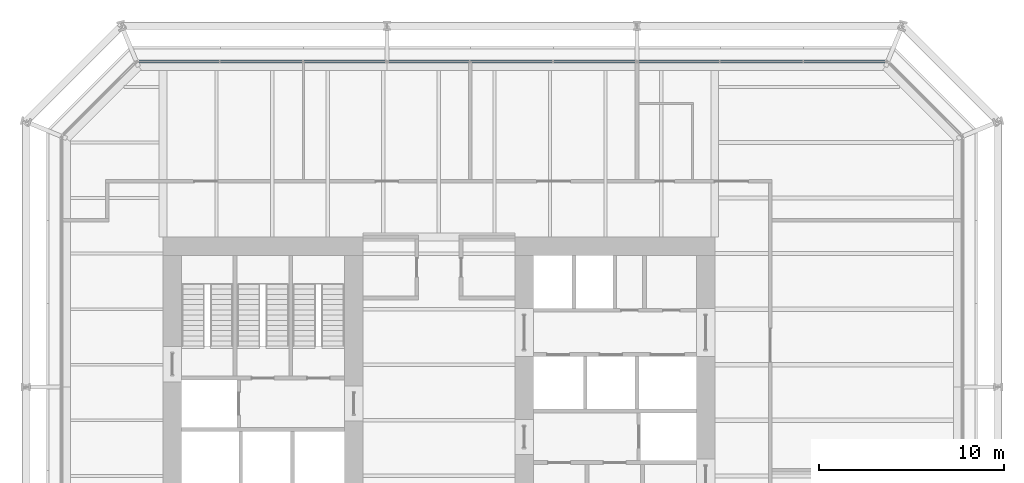
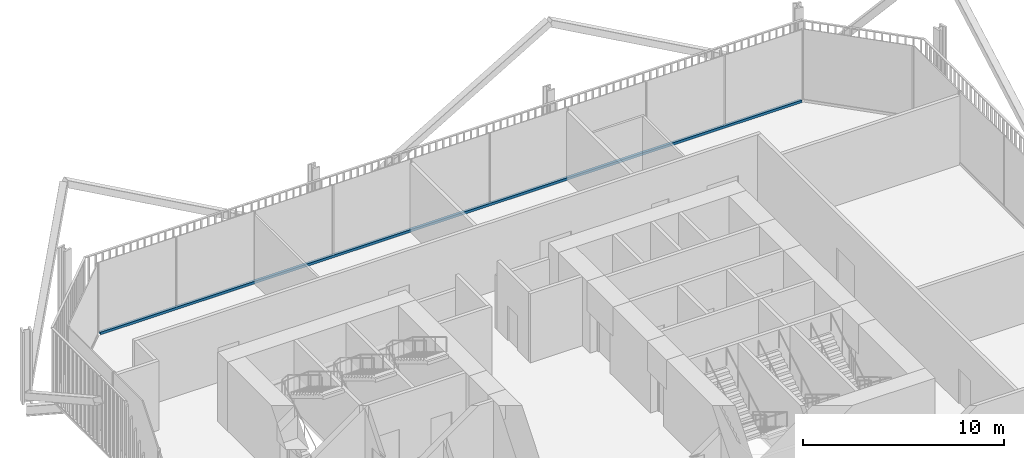
# One storey, part 13 of 21: 1 member, 1 element without a shape of its own.
"""IFC4 building model written with IfcOpenShell, lengths in metres."""

from ifc_helpers import new_model, si_unit, direction, frame, origin, origin_2d, place, context, subcontext, project, spatial, rectangle, extrude, material, layer, layer_set, material_profile, profile_set, type_object, element, aggregate, save


model = new_model("IFC4")

# Units and contexts
model_context = context("Model", 3, precision=1e-05, world=origin(), true_north=direction((0.0, 1.0)))
body_context = subcontext(model_context, "Body", "Model", "MODEL_VIEW")
ifc_project = project(units=[si_unit("LENGTHUNIT", "METRE"), si_unit("AREAUNIT", "SQUARE_METRE"), si_unit("VOLUMEUNIT", "CUBIC_METRE"), si_unit("PLANEANGLEUNIT", "RADIAN"), si_unit("MASSUNIT", "GRAM", prefix="KILO")], contexts=[model_context])

# Site, building, storey
site_placement = place(None, origin())
site = spatial("IfcSite", under=ifc_project, at=site_placement, CompositionType="ELEMENT")
building_placement = place(site_placement, origin())
building = spatial("IfcBuilding", under=site, at=building_placement, Name="Millrace Tower", CompositionType="ELEMENT")
storey_placement = place(building_placement, frame((0.0, 0.0, 82.0)))
storey = spatial("IfcBuildingStorey", under=building, at=storey_placement, Name="L18", CompositionType="ELEMENT", Elevation=82.0)

# Curtain wall, member
ifc_material_1 = material(Name="Aluminium and glass", Category="aluminium")
ifc_layer = layer(ifc_material_1, 0.14990234375)
ifc_layer_set = layer_set([ifc_layer], Name="Aluminium and glass")
curtain_wall_type = type_object("IfcCurtainWallType", Name="CW-3 telecom floor curtain wall", PredefinedType="NOTDEFINED", material=ifc_layer_set)
curtain_wall_placement = place(storey_placement, origin())
curtain_wall = element("IfcCurtainWall", 1, at=curtain_wall_placement, inside=storey, type_object=curtain_wall_type, Name="Curtain wall B-F06 L18", PredefinedType="NOTDEFINED")
ifc_material_2 = material(Name="Aluminium", Category="aluminium")
ifc_material_profile = material_profile(ifc_material_2, rectangle(XDim=0.14990234375, YDim=0.14990234375, at=origin_2d()))
ifc_profile_set = profile_set([ifc_material_profile], Name="Aluminium")
member_type = type_object("IfcMemberType", Name="CW-3 telecom floor curtain wall transom", PredefinedType="USERDEFINED", material=ifc_profile_set)
member_placement = place(storey_placement, frame((24.10009765625, 19.375, 0.074951171875), z_axis=(-1.0, 0.0, 0.0), x_axis=(0.0, -1.0, 0.0)))
member = element("IfcMember", 2, at=member_placement, type_object=member_type, Name="CW3 transom B-F06.1", ObjectType="TRANSOM", PredefinedType="USERDEFINED", context=body_context, shape_type="SweptSolid", body=[
    extrude(rectangle(XDim=0.14990234375, YDim=0.14990234375, at=origin_2d()), origin(), (0.0, 0.0, 1.0), 40.300048828125),
])
aggregate(curtain_wall, [member])

save(model, "model.ifc")
